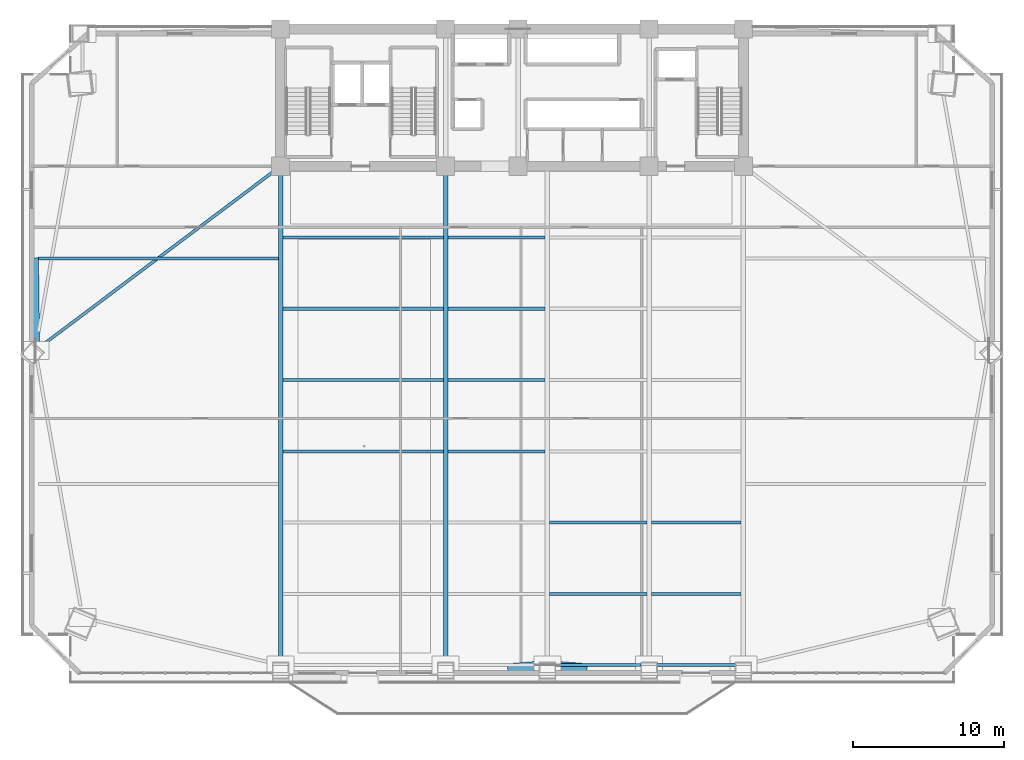
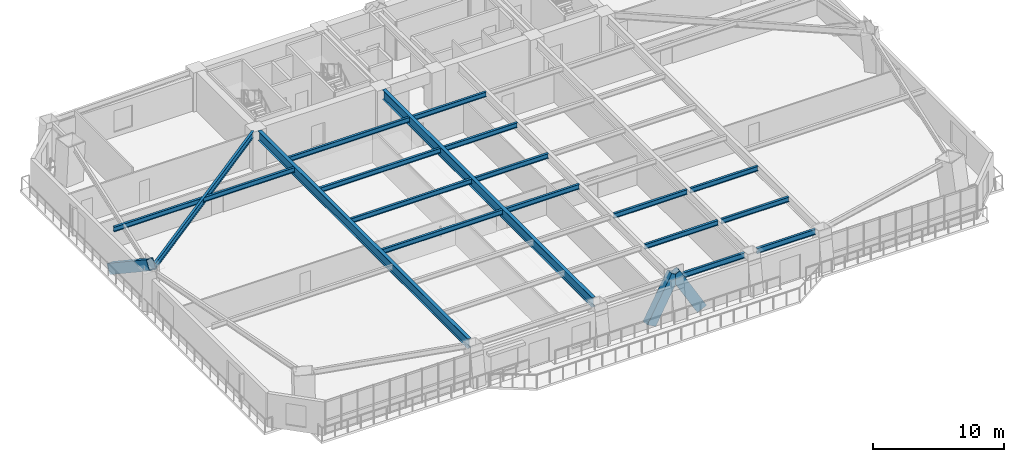
# One storey, part 5 of 17: 18 beams, 3 members.
"""IFC4 building model written with IfcOpenShell, lengths in metres."""

from ifc_helpers import new_model, si_unit, direction, frame, origin, origin_2d, place, context, subcontext, project, spatial, hollow_rectangle, i_section, extrude, source, transform, mapped, material, material_profile, profile_set, type_object, element, save


model = new_model("IFC4")

# Units and contexts
model_context = context("Model", 3, precision=1e-05, world=origin(), true_north=direction((0.0, 1.0)))
body_context = subcontext(model_context, "Body", "Model", "MODEL_VIEW")
ifc_project = project(units=[si_unit("LENGTHUNIT", "METRE"), si_unit("AREAUNIT", "SQUARE_METRE"), si_unit("VOLUMEUNIT", "CUBIC_METRE"), si_unit("PLANEANGLEUNIT", "RADIAN"), si_unit("MASSUNIT", "GRAM", prefix="KILO")], contexts=[model_context])

# Site, building, storey
site_placement = place(None, origin())
site = spatial("IfcSite", under=ifc_project, at=site_placement, CompositionType="ELEMENT")
building_placement = place(site_placement, origin())
building = spatial("IfcBuilding", under=site, at=building_placement, Name="Giltprow Tower", CompositionType="ELEMENT")
storey_placement = place(building_placement, frame((0.0, 0.0, 44.89990234375)))
storey = spatial("IfcBuildingStorey", under=building, at=storey_placement, Name="L11", CompositionType="ELEMENT", Elevation=44.89990234375)

# Beams
ifc_material_1 = material(Name="Structural steel Q355B", Category="steel")
ifc_material_profile_1 = material_profile(ifc_material_1, i_section(OverallWidth=0.199951171875, OverallDepth=0.5, WebThickness=0.010009765625, FlangeThickness=0.01611328125, at=origin_2d()), Name="HN 500x200x10x16")
ifc_profile_set_1 = profile_set([ifc_material_profile_1], Name="Structural steel Q355B")
beam_type_1 = type_object("IfcBeamType", Name="BM-SPAN-HN500", PredefinedType="SPANDREL", material=ifc_profile_set_1)
shared_shape_1 = source(origin(), body_context, "Body", "SweptSolid", [
    extrude(i_section(OverallWidth=0.199951171875, OverallDepth=0.5, WebThickness=0.010009765625, FlangeThickness=0.01611328125, at=origin_2d()), origin(), (0.0, 0.0, 1.0), 5.679931640625),
])
beam_1_placement = place(storey_placement, frame((38.0849609375, 4.35400390625, 3.3701171875), z_axis=(1.0, 0.0, 0.0), x_axis=(0.0, 1.0, 0.0)))
element("IfcBeam", 1, at=beam_1_placement, inside=storey, type_object=beam_type_1, Name="L11 Perimeter Spandrel Beam S_MID-S3", PredefinedType="SPANDREL", context=body_context, shape_type="MappedRepresentation", body=[
    mapped(shared_shape_1, transform((0.0, 0.0, 0.0), x_axis=(1.0, 0.0, 0.0), y_axis=(0.0, 1.0, 0.0), z_axis=(0.0, 0.0, 1.0), scale=1.0)),
])
shared_shape_2 = source(origin(), body_context, "Body", "SweptSolid", [
    extrude(i_section(OverallWidth=0.199951171875, OverallDepth=0.5, WebThickness=0.010009765625, FlangeThickness=0.01611328125, at=origin_2d()), origin(), (0.0, 0.0, 1.0), 5.179931640625),
])
beam_2_placement = place(storey_placement, frame((44.8349609375, 4.35400390625, 3.3701171875), z_axis=(1.0, 0.0, 0.0), x_axis=(0.0, 1.0, 0.0)))
element("IfcBeam", 2, at=beam_2_placement, inside=storey, type_object=beam_type_1, Name="L11 Perimeter Spandrel Beam S3-S4", PredefinedType="SPANDREL", context=body_context, shape_type="MappedRepresentation", body=[
    mapped(shared_shape_2, transform((0.0, 0.0, 0.0), x_axis=(1.0, 0.0, 0.0), y_axis=(0.0, 1.0, 0.0), z_axis=(0.0, 0.0, 1.0), scale=1.0)),
])
ifc_material_profile_2 = material_profile(ifc_material_1, i_section(OverallWidth=0.199951171875, OverallDepth=0.449951171875, WebThickness=0.009033203125, FlangeThickness=0.013916015625, at=origin_2d()), Name="HN 450x200x9x14")
ifc_profile_set_2 = profile_set([ifc_material_profile_2], Name="Structural steel Q355B")
beam_type_2 = type_object("IfcBeamType", Name="BM-JOIST-HN450", PredefinedType="JOIST", material=ifc_profile_set_2)
shared_shape_3 = source(origin(), body_context, "Body", "SweptSolid", [
    extrude(i_section(OverallWidth=0.199951171875, OverallDepth=0.449951171875, WebThickness=0.009033203125, FlangeThickness=0.013916015625, at=origin_2d()), origin(), (0.0, 0.0, 1.0), 10.659912109375),
])
for number, where, z_axis, x_axis, name in (
    (3, (19.9951171875, 18.5380859375, 3.39501953125), (1.0, 0.0, 0.0), (0.0, 1.0, 0.0), "L11 Composite Floor Joist 3-1"),
    (4, (19.9951171875, 23.26611328125, 3.39501953125), (1.0, 0.0, 0.0), (0.0, 1.0, 0.0), "L11 Composite Floor Joist 4-1"),
    (5, (19.9951171875, 27.993896484375, 3.39501953125), (1.0, 0.0, 0.0), (0.0, 1.0, 0.0), "L11 Composite Floor Joist 5-1"),
    (6, (19.9951171875, 32.721923828125, 3.39501953125), (1.0, 0.0, 0.0), (0.0, 1.0, 0.0), "L11 Composite Floor Joist 6-1"),
):
    element("IfcBeam", number, at=place(storey_placement, frame(where, z_axis=z_axis, x_axis=x_axis)), inside=storey, type_object=beam_type_2, Name=name, PredefinedType="JOIST", context=body_context, shape_type="MappedRepresentation", body=[
        mapped(shared_shape_3, transform((0.0, 0.0, 0.0), x_axis=(1.0, 0.0, 0.0), y_axis=(0.0, 1.0, 0.0), z_axis=(0.0, 0.0, 1.0), scale=1.0)),
    ])
shared_shape_4 = source(origin(), body_context, "Body", "SweptSolid", [
    extrude(i_section(OverallWidth=0.199951171875, OverallDepth=0.449951171875, WebThickness=0.009033203125, FlangeThickness=0.013916015625, at=origin_2d()), origin(), (0.0, 0.0, 1.0), 6.4599609375),
])
for number, where, z_axis, x_axis, name in (
    (7, (37.695068359375, 9.08203125, 3.39501953125), (1.0, 0.0, 0.0), (0.0, 1.0, 0.0), "L11 Composite Floor Joist 1-3"),
    (8, (37.695068359375, 13.81005859375, 3.39501953125), (1.0, 0.0, 0.0), (0.0, 1.0, 0.0), "L11 Composite Floor Joist 2-3"),
    (9, (30.945068359375, 18.5380859375, 3.39501953125), (1.0, 0.0, 0.0), (0.0, 1.0, 0.0), "L11 Composite Floor Joist 3-2"),
    (10, (30.945068359375, 23.26611328125, 3.39501953125), (1.0, 0.0, 0.0), (0.0, 1.0, 0.0), "L11 Composite Floor Joist 4-2"),
    (11, (30.945068359375, 27.993896484375, 3.39501953125), (1.0, 0.0, 0.0), (0.0, 1.0, 0.0), "L11 Composite Floor Joist 5-2"),
    (12, (30.945068359375, 32.721923828125, 3.39501953125), (1.0, 0.0, 0.0), (0.0, 1.0, 0.0), "L11 Composite Floor Joist 6-2"),
):
    element("IfcBeam", number, at=place(storey_placement, frame(where, z_axis=z_axis, x_axis=x_axis)), inside=storey, type_object=beam_type_2, Name=name, PredefinedType="JOIST", context=body_context, shape_type="MappedRepresentation", body=[
        mapped(shared_shape_4, transform((0.0, 0.0, 0.0), x_axis=(1.0, 0.0, 0.0), y_axis=(0.0, 1.0, 0.0), z_axis=(0.0, 0.0, 1.0), scale=1.0)),
    ])
shared_shape_5 = source(origin(), body_context, "Body", "SweptSolid", [
    extrude(i_section(OverallWidth=0.199951171875, OverallDepth=0.449951171875, WebThickness=0.009033203125, FlangeThickness=0.013916015625, at=origin_2d()), origin(), (0.0, 0.0, 1.0), 5.9599609375),
])
for number, where, z_axis, x_axis, name in (
    (13, (44.445068359375, 9.08203125, 3.39501953125), (1.0, 0.0, 0.0), (0.0, 1.0, 0.0), "L11 Composite Floor Joist 1-4"),
    (14, (44.445068359375, 13.81005859375, 3.39501953125), (1.0, 0.0, 0.0), (0.0, 1.0, 0.0), "L11 Composite Floor Joist 2-4"),
):
    element("IfcBeam", number, at=place(storey_placement, frame(where, z_axis=z_axis, x_axis=x_axis)), inside=storey, type_object=beam_type_2, Name=name, PredefinedType="JOIST", context=body_context, shape_type="MappedRepresentation", body=[
        mapped(shared_shape_5, transform((0.0, 0.0, 0.0), x_axis=(1.0, 0.0, 0.0), y_axis=(0.0, 1.0, 0.0), z_axis=(0.0, 0.0, 1.0), scale=1.0)),
    ])
ifc_material_profile_3 = material_profile(ifc_material_1, i_section(OverallWidth=0.300048828125, OverallDepth=0.89990234375, WebThickness=0.01611328125, FlangeThickness=0.028076171875, at=origin_2d()), Name="HN 900x300x16x28")
ifc_profile_set_3 = profile_set([ifc_material_profile_3], Name="Structural steel Q355B")
beam_type_3 = type_object("IfcBeamType", Name="BM-GIRD-HN900", PredefinedType="BEAM", material=ifc_profile_set_3)
shared_shape_6 = source(origin(), body_context, "Body", "SweptSolid", [
    extrude(i_section(OverallWidth=0.300048828125, OverallDepth=0.89990234375, WebThickness=0.01611328125, FlangeThickness=0.028076171875, at=origin_2d()), origin(), (0.0, 0.0, 1.0), 31.97607421875),
])
for number, where, z_axis, x_axis, name in (
    (15, (19.85009765625, 4.888916015625, 3.170166015625), (0.0, 1.0, 0.0), (-1.0, 0.0, 0.0), "L11 Primary Lease Girder S1"),
    (16, (30.800048828125, 4.888916015625, 3.170166015625), (0.0, 1.0, 0.0), (-1.0, 0.0, 0.0), "L11 Primary Lease Girder S2"),
):
    element("IfcBeam", number, at=place(storey_placement, frame(where, z_axis=z_axis, x_axis=x_axis)), inside=storey, type_object=beam_type_3, Name=name, PredefinedType="BEAM", context=body_context, shape_type="MappedRepresentation", body=[
        mapped(shared_shape_6, transform((0.0, 0.0, 0.0), x_axis=(1.0, 0.0, 0.0), y_axis=(0.0, 1.0, 0.0), z_axis=(0.0, 0.0, 1.0), scale=1.0)),
    ])
ifc_material_profile_4 = material_profile(ifc_material_1, i_section(OverallWidth=0.199951171875, OverallDepth=0.60009765625, WebThickness=0.010986328125, FlangeThickness=0.01708984375, at=origin_2d()), Name="HN 600x200x11x17")
ifc_profile_set_4 = profile_set([ifc_material_profile_4], Name="Structural steel Q355B")
beam_type_4 = type_object("IfcBeamType", Name="BM-GIRD-HN600", PredefinedType="BEAM", material=ifc_profile_set_4)
shared_shape_7 = source(origin(), body_context, "Body", "SweptSolid", [
    extrude(i_section(OverallWidth=0.199951171875, OverallDepth=0.60009765625, WebThickness=0.010986328125, FlangeThickness=0.01708984375, at=origin_2d()), origin(), (0.0, 0.0, 1.0), 19.23779296875),
])
beam_3_placement = place(storey_placement, frame((3.998046875, 25.548095703125, 3.320068359375), z_axis=(0.799675510247, 0.600432409444, 0.0), x_axis=(-0.600432409444, 0.799675510247, 0.0)))
element("IfcBeam", 17, at=beam_3_placement, inside=storey, type_object=beam_type_4, Name="L11 West Wing Primary Girder", PredefinedType="BEAM", context=body_context, shape_type="MappedRepresentation", body=[
    mapped(shared_shape_7, transform((0.0, 0.0, 0.0), x_axis=(1.0, 0.0, 0.0), y_axis=(0.0, 1.0, 0.0), z_axis=(0.0, 0.0, 1.0), scale=1.0)),
])
shared_shape_8 = source(origin(), body_context, "Body", "SweptSolid", [
    extrude(i_section(OverallWidth=0.199951171875, OverallDepth=0.449951171875, WebThickness=0.009033203125, FlangeThickness=0.013916015625, at=origin_2d()), origin(), (0.0, 0.0, 1.0), 15.9150390625),
])
beam_4_placement = place(storey_placement, frame((3.7900390625, 31.339111328125, 3.39501953125), z_axis=(1.0, 0.0, 0.0), x_axis=(0.0, 1.0, 0.0)))
element("IfcBeam", 18, at=beam_4_placement, inside=storey, type_object=beam_type_2, Name="L11 West Wing Floor Joist 2", PredefinedType="JOIST", context=body_context, shape_type="MappedRepresentation", body=[
    mapped(shared_shape_8, transform((0.0, 0.0, 0.0), x_axis=(1.0, 0.0, 0.0), y_axis=(0.0, 1.0, 0.0), z_axis=(0.0, 0.0, 1.0), scale=1.0)),
])

# Members
ifc_material_2 = material(Name="Structural steel Q420GJC", Category="steel")
ifc_material_profile_5 = material_profile(ifc_material_2, hollow_rectangle(XDim=0.60009765625, YDim=0.89990234375, WallThickness=0.0400390625, at=origin_2d()), Name="RHS 900x600x40")
ifc_profile_set_5 = profile_set([ifc_material_profile_5], Name="Structural steel Q420GJC")
member_type = type_object("IfcMemberType", Name="MBR-MEGA-RHS900", PredefinedType="BRACE", material=ifc_profile_set_5)
shared_shape_9 = source(origin(), body_context, "Body", "SweptSolid", [
    extrude(hollow_rectangle(XDim=0.60009765625, YDim=0.89990234375, WallThickness=0.0400390625, at=origin_2d()), origin(), (0.0, 0.0, 1.0), 4.506103515625),
])
for number, where, z_axis, x_axis, name in (
    (19, (35.300048828125, 4.177978515625, 0.0), (0.499326947397, 0.039064098207, 0.865532550419), (-0.077995186993, 0.996953735539, 0.0), "L11 Chevron Mega-Brace S-L"),
    (20, (39.800048828125, 4.177978515625, 0.0), (-0.499326947397, 0.039064098207, 0.865532550419), (-0.077995186993, -0.996953735539, 0.0), "L11 Chevron Mega-Brace S-R"),
):
    element("IfcMember", number, at=place(storey_placement, frame(where, z_axis=z_axis, x_axis=x_axis)), inside=storey, type_object=member_type, Name=name, PredefinedType="BRACE", context=body_context, shape_type="MappedRepresentation", body=[
        mapped(shared_shape_9, transform((0.0, 0.0, 0.0), x_axis=(1.0, 0.0, 0.0), y_axis=(0.0, 1.0, 0.0), z_axis=(0.0, 0.0, 1.0), scale=1.0)),
    ])
shared_shape_10 = source(origin(), body_context, "Body", "SweptSolid", [
    extrude(hollow_rectangle(XDim=0.60009765625, YDim=0.89990234375, WallThickness=0.0400390625, at=origin_2d()), origin(), (0.0, 0.0, 1.0), 7.072998046875),
])
member_placement = place(storey_placement, frame((3.491943359375, 31.126953125, 0.0), z_axis=(0.011045661601, -0.834154557048, 0.551420137749), x_axis=(0.999912339628, 0.013240583824, 0.0)))
element("IfcMember", 21, at=member_placement, inside=storey, type_object=member_type, Name="L11 Chevron Mega-Brace W-R", PredefinedType="BRACE", context=body_context, shape_type="MappedRepresentation", body=[
    mapped(shared_shape_10, transform((0.0, 0.0, 0.0), x_axis=(1.0, 0.0, 0.0), y_axis=(0.0, 1.0, 0.0), z_axis=(0.0, 0.0, 1.0), scale=1.0)),
])

save(model, "model.ifc")
